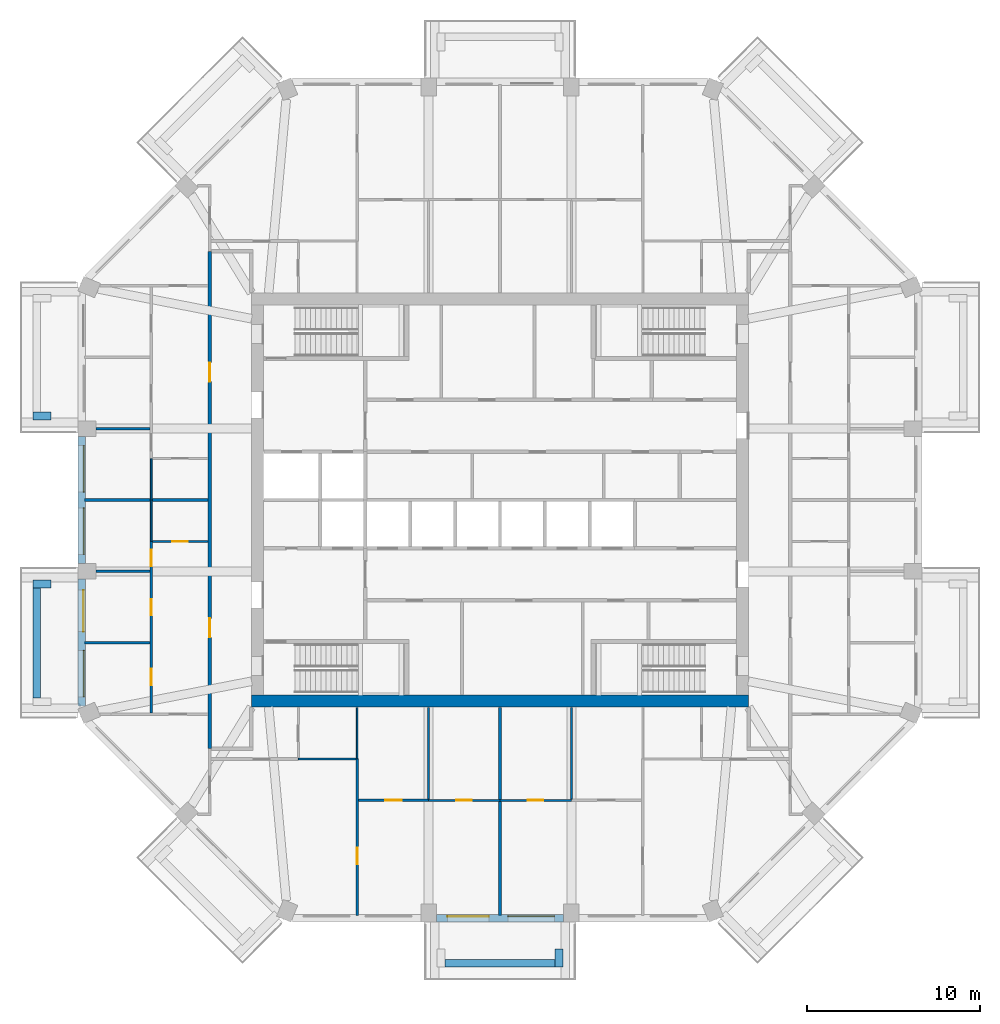
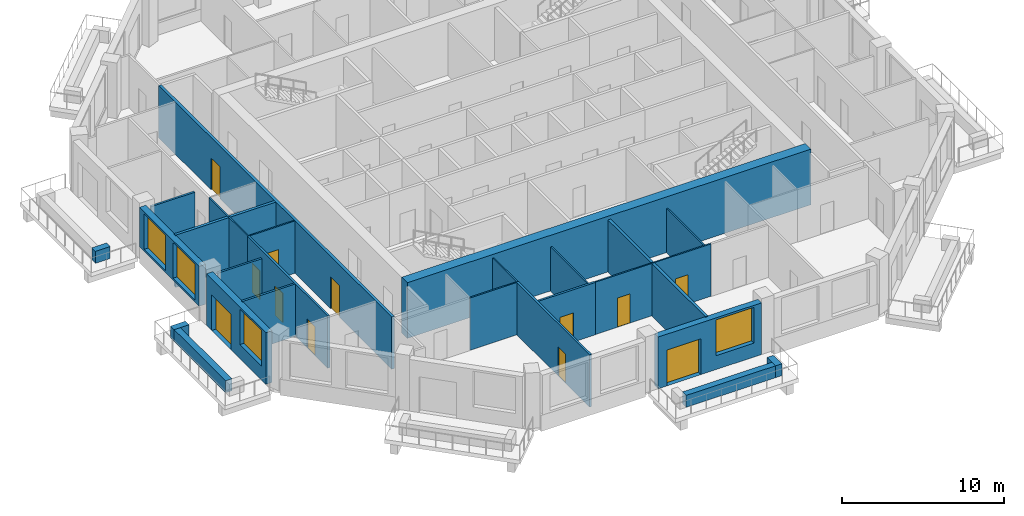
# One storey, part 3 of 12: 27 walls, 12 doors, 4 windows, 16 openings.
"""IFC4 building model written with IfcOpenShell, lengths in metres."""

from ifc_helpers import new_model, si_unit, direction, frame, frame_2d, origin, place, context, subcontext, project, spatial, rectangle, extrude, material, layer, layer_set, type_object, element, fill, save


model = new_model("IFC4")

# Units and contexts
model_context = context("Model", 3, precision=1e-05, world=origin(), true_north=direction((0.0, 1.0)))
body_context = subcontext(model_context, "Body", "Model", "MODEL_VIEW")
ifc_project = project(units=[si_unit("LENGTHUNIT", "METRE"), si_unit("AREAUNIT", "SQUARE_METRE"), si_unit("VOLUMEUNIT", "CUBIC_METRE"), si_unit("PLANEANGLEUNIT", "RADIAN"), si_unit("MASSUNIT", "GRAM", prefix="KILO")], contexts=[model_context])

# Site, building, storey
site_placement = place(None, origin())
site = spatial("IfcSite", under=ifc_project, at=site_placement, CompositionType="ELEMENT")
building_placement = place(site_placement, origin())
building = spatial("IfcBuilding", under=site, at=building_placement, Name="Msitu Wima Residences", CompositionType="ELEMENT")
storey_placement = place(building_placement, frame((0.0, 0.0, 170.699951171875)))
storey = spatial("IfcBuildingStorey", under=building, at=storey_placement, Name="L39", CompositionType="ELEMENT", Elevation=170.699951171875)

# Walls
ifc_material_1 = material(Name="Facing brick")
ifc_layer_1 = layer(ifc_material_1, 0.06494140625, Name="Facing brick")
ifc_material_2 = material(Name="Concrete C40/50", Category="concrete")
ifc_layer_2 = layer(ifc_material_2, 0.156005859375, Name="Concrete C40/50")
ifc_material_3 = material(Name="Waterproofing membrane")
ifc_layer_3 = layer(ifc_material_3, 0.00390625, Name="Waterproofing membrane")
ifc_material_4 = material(Name="Planting soil and planting")
ifc_layer_4 = layer(ifc_material_4, 0.22509765625, Name="Planting soil and planting")
ifc_layer_set_1 = layer_set([ifc_layer_1, ifc_layer_2, ifc_layer_3, ifc_layer_4], Name="Concrete C40/50")
wall_type_1 = type_object("IfcWallType", Name="Balcony planter PLANTER PL450", PredefinedType="USERDEFINED", material=ifc_layer_set_1)
wall_1_placement = place(storey_placement, frame((-26.0, 4.8623046875, 0.0), z_axis=(0.0, 0.0, 1.0), x_axis=(-1.0, 0.0, 0.0)))
element("IfcWall", 1, at=wall_1_placement, inside=storey, type_object=wall_type_1, Name="Balcony planter W0 L39", ObjectType="PLANTER", PredefinedType="USERDEFINED", context=body_context, shape_type="SweptSolid", body=[
    extrude(rectangle(XDim=1.050048828125, YDim=0.449951171875, at=frame_2d((0.52490234375, 0.0))), origin(), (0.0, 0.0, 1.0), 0.900146484375),
])
wall_2_placement = place(storey_placement, frame((-26.824951171875, -5.087158203125, 0.0), z_axis=(0.0, 0.0, 1.0), x_axis=(0.0, -1.0, 0.0)))
element("IfcWall", 2, at=wall_2_placement, inside=storey, type_object=wall_type_1, Name="Balcony planter W2 L39", ObjectType="PLANTER", PredefinedType="USERDEFINED", context=body_context, shape_type="SweptSolid", body=[
    extrude(rectangle(XDim=6.37451171875, YDim=0.449951171875, at=frame_2d((3.187255859375, 0.0))), origin(), (0.0, 0.0, 1.0), 0.900146484375),
])
wall_3_placement = place(storey_placement, frame((-26.0, -4.8623046875, 0.0), z_axis=(0.0, 0.0, 1.0), x_axis=(-1.0, 0.0, 0.0)))
element("IfcWall", 3, at=wall_3_placement, inside=storey, type_object=wall_type_1, Name="Balcony planter W2 L39", ObjectType="PLANTER", PredefinedType="USERDEFINED", context=body_context, shape_type="SweptSolid", body=[
    extrude(rectangle(XDim=1.050048828125, YDim=0.449951171875, at=frame_2d((0.52490234375, 0.0))), origin(), (0.0, 0.0, 1.0), 0.900146484375),
])
wall_4_placement = place(storey_placement, frame((-3.187255859375, -26.824951171875, 0.0), z_axis=(0.0, 0.0, 1.0), x_axis=(1.0, 0.0, 0.0)))
element("IfcWall", 4, at=wall_4_placement, inside=storey, type_object=wall_type_1, Name="Balcony planter S1 L39", ObjectType="PLANTER", PredefinedType="USERDEFINED", context=body_context, shape_type="SweptSolid", body=[
    extrude(rectangle(XDim=6.37451171875, YDim=0.449951171875, at=frame_2d((3.187255859375, 0.0))), origin(), (0.0, 0.0, 1.0), 0.900146484375),
])
wall_5_placement = place(storey_placement, frame((3.412353515625, -26.0, 0.0), z_axis=(0.0, 0.0, 1.0), x_axis=(0.0, -1.0, 0.0)))
element("IfcWall", 5, at=wall_5_placement, inside=storey, type_object=wall_type_1, Name="Balcony planter S1 L39", ObjectType="PLANTER", PredefinedType="USERDEFINED", context=body_context, shape_type="SweptSolid", body=[
    extrude(rectangle(XDim=1.050048828125, YDim=0.449951171875, at=frame_2d((0.52490234375, 0.0))), origin(), (0.0, 0.0, 1.0), 0.900146484375),
])

# Wall, openings, windows
ifc_material_5 = material(Name="Brick (red buff mix)", Category="masonry")
ifc_layer_5 = layer(ifc_material_5, 0.449951171875)
ifc_layer_set_2 = layer_set([ifc_layer_5], Name="Brick (red buff mix)")
wall_type_2 = type_object("IfcWallType", Name="Brick infill wall BW450", PredefinedType="SOLIDWALL", material=ifc_layer_set_2)
wall_6_placement = place(storey_placement, frame((-24.22509765625, 3.687255859375, 0.900146484375), z_axis=(0.0, 0.0, 1.0), x_axis=(0.0, -1.0, 0.0)))
wall_6 = element("IfcWall", 6, at=wall_6_placement, inside=storey, type_object=wall_type_2, Name="Brick infill wall L39 W1", PredefinedType="SOLIDWALL", context=body_context, shape_type="SweptSolid", body=[
    extrude(rectangle(XDim=7.37451171875, YDim=0.449951171875, at=frame_2d((3.687255859375, 0.0))), origin(), (0.0, 0.0, 1.0), 3.0),
])
opening_1_placement = place(wall_6_placement, frame((0.537353515625, 0.0, 0.14990234375)))
opening_1 = element("IfcOpeningElement", 7, at=opening_1_placement, cuts=wall_6, Name="Opening W38-39.028", PredefinedType="OPENING", context=body_context, shape_type="SweptSolid", body=[
    extrude(rectangle(XDim=2.699951171875, YDim=2.699951171875, at=frame_2d((1.35009765625, 1.35009765625))), frame((0.0, 0.23486328125, 0.0), z_axis=(0.0, -1.0, 0.0), x_axis=(1.0, 0.0, 0.0)), (0.0, 0.0, 1.0), 0.469970703125),
])
opening_2_placement = place(wall_6_placement, frame((4.13720703125, 0.0, 0.14990234375)))
opening_2 = element("IfcOpeningElement", 8, at=opening_2_placement, cuts=wall_6, Name="Opening W38-39.029", PredefinedType="OPENING", context=body_context, shape_type="SweptSolid", body=[
    extrude(rectangle(XDim=2.699951171875, YDim=2.699951171875, at=frame_2d((1.35009765625, 1.35009765625))), frame((0.0, 0.23486328125, 0.0), z_axis=(0.0, -1.0, 0.0), x_axis=(1.0, 0.0, 0.0)), (0.0, 0.0, 1.0), 0.469970703125),
])
ifc_material_6 = material(Name="Anodised aluminium, bronze finish, clear low-emissivity double glazing", Category="aluminium")
window_type = type_object("IfcWindowType", Name="Window W2700x2700", PartitioningType="DOUBLE_PANEL_VERTICAL", PredefinedType="WINDOW", material=ifc_material_6)
window_1_placement = place(opening_1_placement, origin())
window_1 = element("IfcWindow", 9, at=window_1_placement, inside=storey, type_object=window_type, Name="Window L39 W1.1", OverallHeight=2.699951171875, OverallWidth=2.699951171875, PartitioningType="SINGLE_PANEL", PredefinedType="WINDOW", context=body_context, shape_type="SweptSolid", body=[
    extrude(rectangle(XDim=2.699951171875, YDim=2.699951171875, at=frame_2d((1.35009765625, 1.35009765625))), frame((0.0, 0.135009765625, 0.0), z_axis=(0.0, -1.0, 0.0), x_axis=(1.0, 0.0, 0.0)), (0.0, 0.0, 1.0), 0.06005859375),
])
fill(opening_1, window_1)
window_2_placement = place(opening_2_placement, origin())
window_2 = element("IfcWindow", 10, at=window_2_placement, inside=storey, type_object=window_type, Name="Window L39 W1.2", OverallHeight=2.699951171875, OverallWidth=2.699951171875, PartitioningType="SINGLE_PANEL", PredefinedType="WINDOW", context=body_context, shape_type="SweptSolid", body=[
    extrude(rectangle(XDim=2.699951171875, YDim=2.699951171875, at=frame_2d((1.35009765625, 1.35009765625))), frame((0.0, 0.135009765625, 0.0), z_axis=(0.0, -1.0, 0.0), x_axis=(1.0, 0.0, 0.0)), (0.0, 0.0, 1.0), 0.06005859375),
])
fill(opening_2, window_2)

# Wall, openings, door, window
wall_7_placement = place(storey_placement, frame((-24.22509765625, -4.587158203125, 0.0), z_axis=(0.0, 0.0, 1.0), x_axis=(0.0, -1.0, 0.0)))
wall_7 = element("IfcWall", 11, at=wall_7_placement, inside=storey, type_object=wall_type_2, Name="Brick infill wall L39 W2", PredefinedType="SOLIDWALL", context=body_context, shape_type="SweptSolid", body=[
    extrude(rectangle(XDim=7.337646484375, YDim=0.449951171875, at=frame_2d((3.6689453125, 0.0))), origin(), (0.0, 0.0, 1.0), 3.900146484375),
])
opening_3_placement = place(wall_7_placement, frame((0.63427734375, 0.0, 0.0)))
opening_3 = element("IfcOpeningElement", 12, at=opening_3_placement, cuts=wall_7, Name="Opening D38-39.010", PredefinedType="OPENING", context=body_context, shape_type="SweptSolid", body=[
    extrude(rectangle(XDim=2.39990234375, YDim=2.699951171875, at=frame_2d((1.199951171875, 1.35009765625))), frame((0.0, 0.23486328125, 0.0), z_axis=(0.0, -1.0, 0.0), x_axis=(1.0, 0.0, 0.0)), (0.0, 0.0, 1.0), 0.469970703125),
])
opening_4_placement = place(wall_7_placement, frame((4.11865234375, 0.0, 1.050048828125)))
opening_4 = element("IfcOpeningElement", 13, at=opening_4_placement, cuts=wall_7, Name="Opening W38-39.030", PredefinedType="OPENING", context=body_context, shape_type="SweptSolid", body=[
    extrude(rectangle(XDim=2.699951171875, YDim=2.699951171875, at=frame_2d((1.35009765625, 1.35009765625))), frame((0.0, 0.23486328125, 0.0), z_axis=(0.0, -1.0, 0.0), x_axis=(1.0, 0.0, 0.0)), (0.0, 0.0, 1.0), 0.469970703125),
])
door_type_1 = type_object("IfcDoorType", Name="Balcony door D2400x2700", OperationType="SLIDING_TO_LEFT", PredefinedType="DOOR", material=ifc_material_6)
door_1_placement = place(opening_3_placement, origin())
door_1 = element("IfcDoor", 14, at=door_1_placement, inside=storey, type_object=door_type_1, Name="Balcony door L39 W2", OperationType="SINGLE_SWING_LEFT", OverallHeight=2.699951171875, OverallWidth=2.39990234375, PredefinedType="DOOR", context=body_context, shape_type="SweptSolid", body=[
    extrude(rectangle(XDim=2.39990234375, YDim=2.699951171875, at=frame_2d((1.199951171875, 1.35009765625))), frame((0.0, 0.1298828125, 0.0), z_axis=(0.0, -1.0, 0.0), x_axis=(1.0, 0.0, 0.0)), (0.0, 0.0, 1.0), 0.050048828125),
])
fill(opening_3, door_1)
window_3_placement = place(opening_4_placement, origin())
window_3 = element("IfcWindow", 15, at=window_3_placement, inside=storey, type_object=window_type, Name="Window L39 W2.2", OverallHeight=2.699951171875, OverallWidth=2.699951171875, PartitioningType="SINGLE_PANEL", PredefinedType="WINDOW", context=body_context, shape_type="SweptSolid", body=[
    extrude(rectangle(XDim=2.699951171875, YDim=2.699951171875, at=frame_2d((1.35009765625, 1.35009765625))), frame((0.0, 0.135009765625, 0.0), z_axis=(0.0, -1.0, 0.0), x_axis=(1.0, 0.0, 0.0)), (0.0, 0.0, 1.0), 0.06005859375),
])
fill(opening_4, window_3)

wall_8_placement = place(storey_placement, frame((-3.687255859375, -24.22509765625, 0.0), z_axis=(0.0, 0.0, 1.0), x_axis=(1.0, 0.0, 0.0)))
wall_8 = element("IfcWall", 16, at=wall_8_placement, inside=storey, type_object=wall_type_2, Name="Brick infill wall L39 S1", PredefinedType="SOLIDWALL", context=body_context, shape_type="SweptSolid", body=[
    extrude(rectangle(XDim=7.37451171875, YDim=0.449951171875, at=frame_2d((3.687255859375, 0.0))), origin(), (0.0, 0.0, 1.0), 3.900146484375),
])
opening_5_placement = place(wall_8_placement, frame((0.6435546875, 0.0, 0.0)))
opening_5 = element("IfcOpeningElement", 17, at=opening_5_placement, cuts=wall_8, Name="Opening D38-39.006", PredefinedType="OPENING", context=body_context, shape_type="SweptSolid", body=[
    extrude(rectangle(XDim=2.39990234375, YDim=2.699951171875, at=frame_2d((1.199951171875, 1.35009765625))), frame((0.0, 0.23486328125, 0.0), z_axis=(0.0, -1.0, 0.0), x_axis=(1.0, 0.0, 0.0)), (0.0, 0.0, 1.0), 0.469970703125),
])
opening_6_placement = place(wall_8_placement, frame((4.13720703125, 0.0, 1.050048828125)))
opening_6 = element("IfcOpeningElement", 18, at=opening_6_placement, cuts=wall_8, Name="Opening W38-39.018", PredefinedType="OPENING", context=body_context, shape_type="SweptSolid", body=[
    extrude(rectangle(XDim=2.699951171875, YDim=2.699951171875, at=frame_2d((1.35009765625, 1.35009765625))), frame((0.0, 0.23486328125, 0.0), z_axis=(0.0, -1.0, 0.0), x_axis=(1.0, 0.0, 0.0)), (0.0, 0.0, 1.0), 0.469970703125),
])
door_2_placement = place(opening_5_placement, origin())
door_2 = element("IfcDoor", 19, at=door_2_placement, inside=storey, type_object=door_type_1, Name="Balcony door L39 S1", OperationType="SINGLE_SWING_LEFT", OverallHeight=2.699951171875, OverallWidth=2.39990234375, PredefinedType="DOOR", context=body_context, shape_type="SweptSolid", body=[
    extrude(rectangle(XDim=2.39990234375, YDim=2.699951171875, at=frame_2d((1.199951171875, 1.35009765625))), frame((0.0, 0.1298828125, 0.0), z_axis=(0.0, -1.0, 0.0), x_axis=(1.0, 0.0, 0.0)), (0.0, 0.0, 1.0), 0.050048828125),
])
fill(opening_5, door_2)
window_4_placement = place(opening_6_placement, origin())
window_4 = element("IfcWindow", 20, at=window_4_placement, inside=storey, type_object=window_type, Name="Window L39 S1.2", OverallHeight=2.699951171875, OverallWidth=2.699951171875, PartitioningType="SINGLE_PANEL", PredefinedType="WINDOW", context=body_context, shape_type="SweptSolid", body=[
    extrude(rectangle(XDim=2.699951171875, YDim=2.699951171875, at=frame_2d((1.35009765625, 1.35009765625))), frame((0.0, 0.135009765625, 0.0), z_axis=(0.0, -1.0, 0.0), x_axis=(1.0, 0.0, 0.0)), (0.0, 0.0, 1.0), 0.06005859375),
])
fill(opening_6, window_4)

# Wall
ifc_material_7 = material(Name="Concrete C60/75", Category="concrete")
ifc_layer_6 = layer(ifc_material_7, 0.699951171875)
ifc_layer_set_3 = layer_set([ifc_layer_6], Name="Concrete C60/75")
wall_type_3 = type_object("IfcWallType", Name="Core wall CW700 C60/75", PredefinedType="SHEAR", material=ifc_layer_set_3)
wall_9_placement = place(storey_placement, frame((-14.39990234375, -11.64990234375, 0.0), z_axis=(0.0, 0.0, 1.0), x_axis=(1.0, 0.0, 0.0)))
element("IfcWall", 21, at=wall_9_placement, inside=storey, type_object=wall_type_3, Name="Core wall", PredefinedType="SHEAR", context=body_context, shape_type="SweptSolid", body=[
    extrude(rectangle(XDim=28.7998046875, YDim=0.699951171875, at=frame_2d((14.39990234375, 0.0))), origin(), (0.0, 0.0, 1.0), 4.199951171875),
])

# Wall, openings, doors
ifc_material_8 = material(Name="Plaster")
ifc_layer_7 = layer(ifc_material_8, 0.011962890625, Name="Plaster")
ifc_material_9 = material(Name="Concrete blockwork", Category="masonry")
ifc_layer_8 = layer(ifc_material_9, 0.176025390625, Name="Concrete blockwork")
ifc_layer_9 = layer(ifc_material_8, 0.011962890625, Name="Plaster")
ifc_layer_set_4 = layer_set([ifc_layer_7, ifc_layer_8, ifc_layer_9], Name="Concrete blockwork")
wall_type_4 = type_object("IfcWallType", Name="Corridor wall FW200", PredefinedType="PARTITIONING", material=ifc_layer_set_4)
wall_10_placement = place(storey_placement, frame((-16.800048828125, -14.39990234375, 0.0), z_axis=(0.0, 0.0, 1.0), x_axis=(0.0, 1.0, 0.0)))
wall_10 = element("IfcWall", 22, at=wall_10_placement, inside=storey, type_object=wall_type_4, Name="Corridor wall", PredefinedType="PARTITIONING", context=body_context, shape_type="SweptSolid", body=[
    extrude(rectangle(XDim=28.7998046875, YDim=0.199951171875, at=frame_2d((14.39990234375, 0.0))), origin(), (0.0, 0.0, 1.0), 3.949951171875),
])
opening_7_placement = place(wall_10_placement, frame((21.25, 0.0, 0.0)))
opening_7 = element("IfcOpeningElement", 23, at=opening_7_placement, cuts=wall_10, Name="Opening D38-39.023", PredefinedType="OPENING", context=body_context, shape_type="SweptSolid", body=[
    extrude(rectangle(XDim=1.10009765625, YDim=2.39990234375, at=frame_2d((0.550048828125, 1.199951171875))), frame((0.0, 0.10986328125, 0.0), z_axis=(0.0, -1.0, 0.0), x_axis=(1.0, 0.0, 0.0)), (0.0, 0.0, 1.0), 0.219970703125),
])
opening_8_placement = place(wall_10_placement, frame((6.449951171875, 0.0, 0.0)))
opening_8 = element("IfcOpeningElement", 24, at=opening_8_placement, cuts=wall_10, Name="Opening D38-39.035", PredefinedType="OPENING", context=body_context, shape_type="SweptSolid", body=[
    extrude(rectangle(XDim=1.10009765625, YDim=2.39990234375, at=frame_2d((0.550048828125, 1.199951171875))), frame((0.0, 0.10986328125, 0.0), z_axis=(0.0, -1.0, 0.0), x_axis=(1.0, 0.0, 0.0)), (0.0, 0.0, 1.0), 0.219970703125),
])
ifc_material_10 = material(Name="Timber flush door, fire resisting, self-closing", Category="wood")
door_type_2 = type_object("IfcDoorType", Name="Flat entrance door D01 1100x2400", OperationType="SINGLE_SWING_LEFT", PredefinedType="DOOR", material=ifc_material_10)
door_3_placement = place(opening_7_placement, origin())
door_3 = element("IfcDoor", 25, at=door_3_placement, inside=storey, type_object=door_type_2, Name="Flat entrance door", OperationType="SINGLE_SWING_RIGHT", OverallHeight=2.39990234375, OverallWidth=1.10009765625, PredefinedType="DOOR", context=body_context, shape_type="SweptSolid", body=[
    extrude(rectangle(XDim=1.10009765625, YDim=2.39990234375, at=frame_2d((0.550048828125, 1.199951171875))), frame((0.0, 0.02490234375, 0.0), z_axis=(0.0, -1.0, 0.0), x_axis=(1.0, 0.0, 0.0)), (0.0, 0.0, 1.0), 0.050048828125),
])
fill(opening_7, door_3)
door_4_placement = place(opening_8_placement, origin())
door_4 = element("IfcDoor", 26, at=door_4_placement, inside=storey, type_object=door_type_2, Name="Flat entrance door", OperationType="SINGLE_SWING_LEFT", OverallHeight=2.39990234375, OverallWidth=1.10009765625, PredefinedType="DOOR", context=body_context, shape_type="SweptSolid", body=[
    extrude(rectangle(XDim=1.10009765625, YDim=2.39990234375, at=frame_2d((0.550048828125, 1.199951171875))), frame((0.0, 0.02490234375, 0.0), z_axis=(0.0, -1.0, 0.0), x_axis=(1.0, 0.0, 0.0)), (0.0, 0.0, 1.0), 0.050048828125),
])
fill(opening_8, door_4)

# Walls
ifc_layer_10 = layer(ifc_material_8, 0.011962890625, Name="Plaster")
ifc_layer_11 = layer(ifc_material_9, 0.1259765625, Name="Concrete blockwork")
ifc_layer_12 = layer(ifc_material_8, 0.011962890625, Name="Plaster")
ifc_layer_set_5 = layer_set([ifc_layer_10, ifc_layer_11, ifc_layer_12], Name="Concrete blockwork")
wall_type_5 = type_object("IfcWallType", Name="Partition PW150", PredefinedType="PARTITIONING", material=ifc_layer_set_5)
wall_11_placement = place(storey_placement, frame((-24.054931640625, -8.2744140625, 0.0), z_axis=(0.0, 0.0, 1.0), x_axis=(1.0, 0.0, 0.0)))
element("IfcWall", 27, at=wall_11_placement, inside=storey, type_object=wall_type_5, Name="Partition", PredefinedType="PARTITIONING", context=body_context, shape_type="SweptSolid", body=[
    extrude(rectangle(XDim=3.780029296875, YDim=0.14990234375, at=frame_2d((1.89013671875, 0.0))), origin(), (0.0, 0.0, 1.0), 3.949951171875),
])
for number, where, z_axis, x_axis, name in (
    (28, (-23.39990234375, -4.13720703125, 0.0), (0.0, 0.0, 1.0), (1.0, 0.0, 0.0), "Partition"),
    (29, (-23.39990234375, 4.13720703125, 0.0), (0.0, 0.0, 1.0), (1.0, 0.0, 0.0), "Partition"),
):
    element("IfcWall", number, at=place(storey_placement, frame(where, z_axis=z_axis, x_axis=x_axis)), inside=storey, type_object=wall_type_5, Name=name, PredefinedType="PARTITIONING", context=body_context, shape_type="SweptSolid", body=[
        extrude(rectangle(XDim=3.125, YDim=0.14990234375, at=frame_2d((1.5625, 0.0))), origin(), (0.0, 0.0, 1.0), 3.35009765625),
    ])

# Wall, openings, doors
wall_12_placement = place(storey_placement, frame((-20.199951171875, -12.336669921875, 0.0), z_axis=(0.0, 0.0, 1.0), x_axis=(0.0, 1.0, 0.0)))
wall_12 = element("IfcWall", 30, at=wall_12_placement, inside=storey, type_object=wall_type_5, Name="Partition", PredefinedType="PARTITIONING", context=body_context, shape_type="SweptSolid", body=[
    extrude(rectangle(XDim=9.936767578125, YDim=0.14990234375, at=frame_2d((4.96826171875, 0.0))), origin(), (0.0, 0.0, 1.0), 3.949951171875),
])
opening_9_placement = place(wall_12_placement, frame((8.5, 0.0, 0.0)))
opening_9 = element("IfcOpeningElement", 31, at=opening_9_placement, cuts=wall_12, Name="Opening D38-39.039", PredefinedType="OPENING", context=body_context, shape_type="SweptSolid", body=[
    extrude(rectangle(XDim=0.949951171875, YDim=2.199951171875, at=frame_2d((0.47509765625, 1.10009765625))), frame((0.0, 0.0849609375, 0.0), z_axis=(0.0, -1.0, 0.0), x_axis=(1.0, 0.0, 0.0)), (0.0, 0.0, 1.0), 0.169921875),
])
opening_10_placement = place(wall_12_placement, frame((5.64990234375, 0.0, 0.0)))
opening_10 = element("IfcOpeningElement", 32, at=opening_10_placement, cuts=wall_12, Name="Opening D38-39.040", PredefinedType="OPENING", context=body_context, shape_type="SweptSolid", body=[
    extrude(rectangle(XDim=0.949951171875, YDim=2.199951171875, at=frame_2d((0.47509765625, 1.10009765625))), frame((0.0, 0.0849609375, 0.0), z_axis=(0.0, -1.0, 0.0), x_axis=(1.0, 0.0, 0.0)), (0.0, 0.0, 1.0), 0.169921875),
])
opening_11_placement = place(wall_12_placement, frame((1.60009765625, 0.0, 0.0)))
opening_11 = element("IfcOpeningElement", 33, at=opening_11_placement, cuts=wall_12, Name="Opening D38-39.041", PredefinedType="OPENING", context=body_context, shape_type="SweptSolid", body=[
    extrude(rectangle(XDim=0.949951171875, YDim=2.199951171875, at=frame_2d((0.47509765625, 1.10009765625))), frame((0.0, 0.0849609375, 0.0), z_axis=(0.0, -1.0, 0.0), x_axis=(1.0, 0.0, 0.0)), (0.0, 0.0, 1.0), 0.169921875),
])
ifc_material_11 = material(Name="Timber flush door", Category="wood")
door_type_3 = type_object("IfcDoorType", Name="Room door D12 950x2200", OperationType="SINGLE_SWING_LEFT", PredefinedType="DOOR", material=ifc_material_11)
door_5_placement = place(opening_9_placement, origin())
door_5 = element("IfcDoor", 34, at=door_5_placement, inside=storey, type_object=door_type_3, Name="Room door", OperationType="SINGLE_SWING_LEFT", OverallHeight=2.199951171875, OverallWidth=0.949951171875, PredefinedType="DOOR", context=body_context, shape_type="SweptSolid", body=[
    extrude(rectangle(XDim=0.949951171875, YDim=2.199951171875, at=frame_2d((0.47509765625, 1.10009765625))), frame((0.0, 0.02490234375, 0.0), z_axis=(0.0, -1.0, 0.0), x_axis=(1.0, 0.0, 0.0)), (0.0, 0.0, 1.0), 0.050048828125),
])
fill(opening_9, door_5)
door_6_placement = place(opening_10_placement, origin())
door_6 = element("IfcDoor", 35, at=door_6_placement, inside=storey, type_object=door_type_3, Name="Room door", OperationType="SINGLE_SWING_LEFT", OverallHeight=2.199951171875, OverallWidth=0.949951171875, PredefinedType="DOOR", context=body_context, shape_type="SweptSolid", body=[
    extrude(rectangle(XDim=0.949951171875, YDim=2.199951171875, at=frame_2d((0.47509765625, 1.10009765625))), frame((0.0, 0.02490234375, 0.0), z_axis=(0.0, -1.0, 0.0), x_axis=(1.0, 0.0, 0.0)), (0.0, 0.0, 1.0), 0.050048828125),
])
fill(opening_10, door_6)
door_7_placement = place(opening_11_placement, origin())
door_7 = element("IfcDoor", 36, at=door_7_placement, inside=storey, type_object=door_type_3, Name="Room door", OperationType="SINGLE_SWING_RIGHT", OverallHeight=2.199951171875, OverallWidth=0.949951171875, PredefinedType="DOOR", context=body_context, shape_type="SweptSolid", body=[
    extrude(rectangle(XDim=0.949951171875, YDim=2.199951171875, at=frame_2d((0.47509765625, 1.10009765625))), frame((0.0, 0.02490234375, 0.0), z_axis=(0.0, -1.0, 0.0), x_axis=(1.0, 0.0, 0.0)), (0.0, 0.0, 1.0), 0.050048828125),
])
fill(opening_11, door_7)

# Wall, opening, door
wall_13_placement = place(storey_placement, frame((-8.2744140625, -24.054931640625, 0.0), z_axis=(0.0, 0.0, 1.0), x_axis=(0.0, 1.0, 0.0)))
wall_13 = element("IfcWall", 37, at=wall_13_placement, inside=storey, type_object=wall_type_5, Name="Partition", PredefinedType="PARTITIONING", context=body_context, shape_type="SweptSolid", body=[
    extrude(rectangle(XDim=9.074951171875, YDim=0.14990234375, at=frame_2d((4.53759765625, 0.0))), origin(), (0.0, 0.0, 1.0), 3.949951171875),
])
opening_12_placement = place(wall_13_placement, frame((2.949951171875, 0.0, 0.0)))
opening_12 = element("IfcOpeningElement", 38, at=opening_12_placement, cuts=wall_13, Name="Opening D38-39.044", PredefinedType="OPENING", context=body_context, shape_type="SweptSolid", body=[
    extrude(rectangle(XDim=0.949951171875, YDim=2.199951171875, at=frame_2d((0.47509765625, 1.10009765625))), frame((0.0, 0.0849609375, 0.0), z_axis=(0.0, -1.0, 0.0), x_axis=(1.0, 0.0, 0.0)), (0.0, 0.0, 1.0), 0.169921875),
])
door_8_placement = place(opening_12_placement, origin())
door_8 = element("IfcDoor", 39, at=door_8_placement, inside=storey, type_object=door_type_3, Name="Room door", OperationType="SINGLE_SWING_LEFT", OverallHeight=2.199951171875, OverallWidth=0.949951171875, PredefinedType="DOOR", context=body_context, shape_type="SweptSolid", body=[
    extrude(rectangle(XDim=0.949951171875, YDim=2.199951171875, at=frame_2d((0.47509765625, 1.10009765625))), frame((0.0, 0.02490234375, 0.0), z_axis=(0.0, -1.0, 0.0), x_axis=(1.0, 0.0, 0.0)), (0.0, 0.0, 1.0), 0.050048828125),
])
fill(opening_12, door_8)

wall_14_placement = place(storey_placement, frame((-8.199462890625, -17.39990234375, 0.0), z_axis=(0.0, 0.0, 1.0), x_axis=(1.0, 0.0, 0.0)))
wall_14 = element("IfcWall", 40, at=wall_14_placement, inside=storey, type_object=wall_type_5, Name="Partition", PredefinedType="PARTITIONING", context=body_context, shape_type="SweptSolid", body=[
    extrude(rectangle(XDim=4.062255859375, YDim=0.14990234375, at=frame_2d((2.03125, 0.0))), origin(), (0.0, 0.0, 1.0), 3.949951171875),
])
opening_13_placement = place(wall_14_placement, frame((1.550048828125, 0.0, 0.0)))
opening_13 = element("IfcOpeningElement", 41, at=opening_13_placement, cuts=wall_14, Name="Opening D38-39.037", PredefinedType="OPENING", context=body_context, shape_type="SweptSolid", body=[
    extrude(rectangle(XDim=0.949951171875, YDim=2.199951171875, at=frame_2d((0.47509765625, 1.10009765625))), frame((0.0, 0.0849609375, 0.0), z_axis=(0.0, -1.0, 0.0), x_axis=(1.0, 0.0, 0.0)), (0.0, 0.0, 1.0), 0.169921875),
])
door_9_placement = place(opening_13_placement, origin())
door_9 = element("IfcDoor", 42, at=door_9_placement, inside=storey, type_object=door_type_3, Name="Room door", OperationType="SINGLE_SWING_RIGHT", OverallHeight=2.199951171875, OverallWidth=0.949951171875, PredefinedType="DOOR", context=body_context, shape_type="SweptSolid", body=[
    extrude(rectangle(XDim=0.949951171875, YDim=2.199951171875, at=frame_2d((0.47509765625, 1.10009765625))), frame((0.0, 0.02490234375, 0.0), z_axis=(0.0, -1.0, 0.0), x_axis=(1.0, 0.0, 0.0)), (0.0, 0.0, 1.0), 0.050048828125),
])
fill(opening_13, door_9)

# Walls
ifc_layer_13 = layer(ifc_material_8, 0.011962890625, Name="Plaster")
ifc_material_12 = material(Name="Dense concrete blockwork", Category="masonry")
ifc_layer_14 = layer(ifc_material_12, 0.176025390625, Name="Dense concrete blockwork")
ifc_layer_15 = layer(ifc_material_8, 0.011962890625, Name="Plaster")
ifc_layer_set_6 = layer_set([ifc_layer_13, ifc_layer_14, ifc_layer_15], Name="Dense concrete blockwork")
wall_type_6 = type_object("IfcWallType", Name="Party wall PW200", PredefinedType="PARTITIONING", material=ifc_layer_set_6)
wall_15_placement = place(storey_placement, frame((-24.054931640625, 0.0, 0.0), z_axis=(0.0, 0.0, 1.0), x_axis=(1.0, 0.0, 0.0)))
element("IfcWall", 43, at=wall_15_placement, inside=storey, type_object=wall_type_6, Name="Party wall", PredefinedType="PARTITIONING", context=body_context, shape_type="SweptSolid", body=[
    extrude(rectangle(XDim=7.155029296875, YDim=0.199951171875, at=frame_2d((3.57763671875, 0.0))), origin(), (0.0, 0.0, 1.0), 3.949951171875),
])
wall_16_placement = place(storey_placement, frame((0.0, -24.054931640625, 0.0), z_axis=(0.0, 0.0, 1.0), x_axis=(0.0, 1.0, 0.0)))
element("IfcWall", 44, at=wall_16_placement, inside=storey, type_object=wall_type_6, Name="Party wall", PredefinedType="PARTITIONING", context=body_context, shape_type="SweptSolid", body=[
    extrude(rectangle(XDim=12.02490234375, YDim=0.199951171875, at=frame_2d((6.012451171875, 0.0))), origin(), (0.0, 0.0, 1.0), 3.949951171875),
])
ifc_material_13 = material(Name="Ceramic tiles")
ifc_layer_16 = layer(ifc_material_13, 0.008056640625, Name="Ceramic tiles")
ifc_material_14 = material(Name="Moisture-resistant board")
ifc_layer_17 = layer(ifc_material_14, 0.012451171875, Name="Moisture-resistant board")
ifc_material_15 = material(Name="Light-gauge stud framing with mineral wool")
ifc_layer_18 = layer(ifc_material_15, 0.06689453125, Name="Light-gauge stud framing with mineral wool")
ifc_layer_19 = layer(ifc_material_14, 0.012451171875, Name="Moisture-resistant board")
ifc_layer_set_7 = layer_set([ifc_layer_16, ifc_layer_17, ifc_layer_18, ifc_layer_19], Name="Light-gauge stud framing with mineral wool")
wall_type_7 = type_object("IfcWallType", Name="Wet wall PW100", PredefinedType="PARTITIONING", material=ifc_layer_set_7)
wall_17_placement = place(storey_placement, frame((-20.199951171875, -2.39990234375, 0.0), z_axis=(0.0, 0.0, 1.0), x_axis=(0.0, 1.0, 0.0)))
element("IfcWall", 45, at=wall_17_placement, inside=storey, type_object=wall_type_7, Name="Wet wall", PredefinedType="PARTITIONING", context=body_context, shape_type="SweptSolid", body=[
    extrude(rectangle(XDim=2.39990234375, YDim=0.10009765625, at=frame_2d((1.199951171875, 0.0))), origin(), (0.0, 0.0, 1.0), 3.949951171875),
])

# Wall, opening, door
wall_18_placement = place(storey_placement, frame((-20.125, -2.39990234375, 0.0), z_axis=(0.0, 0.0, 1.0), x_axis=(1.0, 0.0, 0.0)))
wall_18 = element("IfcWall", 46, at=wall_18_placement, inside=storey, type_object=wall_type_7, Name="Wet wall", PredefinedType="PARTITIONING", context=body_context, shape_type="SweptSolid", body=[
    extrude(rectangle(XDim=3.22509765625, YDim=0.10009765625, at=frame_2d((1.612548828125, 0.0))), origin(), (0.0, 0.0, 1.0), 3.949951171875),
])
opening_14_placement = place(wall_18_placement, frame((1.14990234375, 0.0, 0.0)))
opening_14 = element("IfcOpeningElement", 47, at=opening_14_placement, cuts=wall_18, Name="Opening D38-39.036", PredefinedType="OPENING", context=body_context, shape_type="SweptSolid", body=[
    extrude(rectangle(XDim=0.89990234375, YDim=2.199951171875, at=frame_2d((0.449951171875, 1.10009765625))), frame((0.0, 0.06005859375, 0.0), z_axis=(0.0, -1.0, 0.0), x_axis=(1.0, 0.0, 0.0)), (0.0, 0.0, 1.0), 0.1201171875),
])
ifc_material_16 = material(Name="Timber flush door, moisture resistant", Category="wood")
door_type_4 = type_object("IfcDoorType", Name="Bathroom door D03 900x2200", OperationType="SINGLE_SWING_LEFT", PredefinedType="DOOR", material=ifc_material_16)
door_10_placement = place(opening_14_placement, origin())
door_10 = element("IfcDoor", 48, at=door_10_placement, inside=storey, type_object=door_type_4, Name="Bathroom door", OperationType="SINGLE_SWING_LEFT", OverallHeight=2.199951171875, OverallWidth=0.89990234375, PredefinedType="DOOR", context=body_context, shape_type="SweptSolid", body=[
    extrude(rectangle(XDim=0.89990234375, YDim=2.199951171875, at=frame_2d((0.449951171875, 1.10009765625))), frame((0.0, 0.02490234375, 0.0), z_axis=(0.0, -1.0, 0.0), x_axis=(1.0, 0.0, 0.0)), (0.0, 0.0, 1.0), 0.050048828125),
])
fill(opening_14, door_10)

# Walls
wall_19_placement = place(storey_placement, frame((-20.199951171875, 0.0, 0.0), z_axis=(0.0, 0.0, 1.0), x_axis=(0.0, 1.0, 0.0)))
element("IfcWall", 49, at=wall_19_placement, inside=storey, type_object=wall_type_7, Name="Wet wall", PredefinedType="PARTITIONING", context=body_context, shape_type="SweptSolid", body=[
    extrude(rectangle(XDim=2.39990234375, YDim=0.10009765625, at=frame_2d((1.199951171875, 0.0))), origin(), (0.0, 0.0, 1.0), 3.949951171875),
])
wall_20_placement = place(storey_placement, frame((-11.674560546875, -15.0, 0.0), z_axis=(0.0, 0.0, 1.0), x_axis=(1.0, 0.0, 0.0)))
element("IfcWall", 50, at=wall_20_placement, inside=storey, type_object=wall_type_7, Name="Wet wall", PredefinedType="PARTITIONING", context=body_context, shape_type="SweptSolid", body=[
    extrude(rectangle(XDim=3.324951171875, YDim=0.10009765625, at=frame_2d((1.66259765625, 0.0))), origin(), (0.0, 0.0, 1.0), 3.949951171875),
])
wall_21_placement = place(storey_placement, frame((-8.2744140625, -14.97998046875, 0.0), z_axis=(0.0, 0.0, 1.0), x_axis=(0.0, 1.0, 0.0)))
element("IfcWall", 51, at=wall_21_placement, inside=storey, type_object=wall_type_7, Name="Wet wall", PredefinedType="PARTITIONING", context=body_context, shape_type="SweptSolid", body=[
    extrude(rectangle(XDim=2.949951171875, YDim=0.10009765625, at=frame_2d((1.47509765625, 0.0))), origin(), (0.0, 0.0, 1.0), 3.949951171875),
])
wall_22_placement = place(storey_placement, frame((-4.13720703125, -17.324951171875, 0.0), z_axis=(0.0, 0.0, 1.0), x_axis=(0.0, 1.0, 0.0)))
element("IfcWall", 52, at=wall_22_placement, inside=storey, type_object=wall_type_7, Name="Wet wall", PredefinedType="PARTITIONING", context=body_context, shape_type="SweptSolid", body=[
    extrude(rectangle(XDim=5.294921875, YDim=0.10009765625, at=frame_2d((2.6474609375, 0.0))), origin(), (0.0, 0.0, 1.0), 3.35009765625),
])

# Wall, opening, door
wall_23_placement = place(storey_placement, frame((-4.13720703125, -17.39990234375, 0.0), z_axis=(0.0, 0.0, 1.0), x_axis=(1.0, 0.0, 0.0)))
wall_23 = element("IfcWall", 53, at=wall_23_placement, inside=storey, type_object=wall_type_7, Name="Wet wall", PredefinedType="PARTITIONING", context=body_context, shape_type="SweptSolid", body=[
    extrude(rectangle(XDim=4.13720703125, YDim=0.10009765625, at=frame_2d((2.068603515625, 0.0))), origin(), (0.0, 0.0, 1.0), 3.949951171875),
])
opening_15_placement = place(wall_23_placement, frame((1.60009765625, 0.0, 0.0)))
opening_15 = element("IfcOpeningElement", 54, at=opening_15_placement, cuts=wall_23, Name="Opening D38-39.046", PredefinedType="OPENING", context=body_context, shape_type="SweptSolid", body=[
    extrude(rectangle(XDim=0.89990234375, YDim=2.199951171875, at=frame_2d((0.449951171875, 1.10009765625))), frame((0.0, 0.06005859375, 0.0), z_axis=(0.0, -1.0, 0.0), x_axis=(1.0, 0.0, 0.0)), (0.0, 0.0, 1.0), 0.1201171875),
])
door_11_placement = place(opening_15_placement, origin())
door_11 = element("IfcDoor", 55, at=door_11_placement, inside=storey, type_object=door_type_4, Name="Bathroom door", OperationType="SINGLE_SWING_RIGHT", OverallHeight=2.199951171875, OverallWidth=0.89990234375, PredefinedType="DOOR", context=body_context, shape_type="SweptSolid", body=[
    extrude(rectangle(XDim=0.89990234375, YDim=2.199951171875, at=frame_2d((0.449951171875, 1.10009765625))), frame((0.0, 0.02490234375, 0.0), z_axis=(0.0, -1.0, 0.0), x_axis=(1.0, 0.0, 0.0)), (0.0, 0.0, 1.0), 0.050048828125),
])
fill(opening_15, door_11)

wall_24_placement = place(storey_placement, frame((0.0, -17.39990234375, 0.0), z_axis=(0.0, 0.0, 1.0), x_axis=(1.0, 0.0, 0.0)))
wall_24 = element("IfcWall", 56, at=wall_24_placement, inside=storey, type_object=wall_type_7, Name="Wet wall", PredefinedType="PARTITIONING", context=body_context, shape_type="SweptSolid", body=[
    extrude(rectangle(XDim=4.13720703125, YDim=0.10009765625, at=frame_2d((2.068603515625, 0.0))), origin(), (0.0, 0.0, 1.0), 3.949951171875),
])
opening_16_placement = place(wall_24_placement, frame((1.60009765625, 0.0, 0.0)))
opening_16 = element("IfcOpeningElement", 57, at=opening_16_placement, cuts=wall_24, Name="Opening D38-39.058", PredefinedType="OPENING", context=body_context, shape_type="SweptSolid", body=[
    extrude(rectangle(XDim=0.89990234375, YDim=2.199951171875, at=frame_2d((0.449951171875, 1.10009765625))), frame((0.0, 0.06005859375, 0.0), z_axis=(0.0, -1.0, 0.0), x_axis=(1.0, 0.0, 0.0)), (0.0, 0.0, 1.0), 0.1201171875),
])
door_12_placement = place(opening_16_placement, origin())
door_12 = element("IfcDoor", 58, at=door_12_placement, inside=storey, type_object=door_type_4, Name="Bathroom door", OperationType="SINGLE_SWING_LEFT", OverallHeight=2.199951171875, OverallWidth=0.89990234375, PredefinedType="DOOR", context=body_context, shape_type="SweptSolid", body=[
    extrude(rectangle(XDim=0.89990234375, YDim=2.199951171875, at=frame_2d((0.449951171875, 1.10009765625))), frame((0.0, 0.02490234375, 0.0), z_axis=(0.0, -1.0, 0.0), x_axis=(1.0, 0.0, 0.0)), (0.0, 0.0, 1.0), 0.050048828125),
])
fill(opening_16, door_12)

# Wall
wall_25_placement = place(storey_placement, frame((4.13720703125, -17.324951171875, 0.0), z_axis=(0.0, 0.0, 1.0), x_axis=(0.0, 1.0, 0.0)))
element("IfcWall", 59, at=wall_25_placement, inside=storey, type_object=wall_type_7, Name="Wet wall", PredefinedType="PARTITIONING", context=body_context, shape_type="SweptSolid", body=[
    extrude(rectangle(XDim=5.294921875, YDim=0.10009765625, at=frame_2d((2.6474609375, 0.0))), origin(), (0.0, 0.0, 1.0), 3.35009765625),
])

save(model, "model.ifc")
